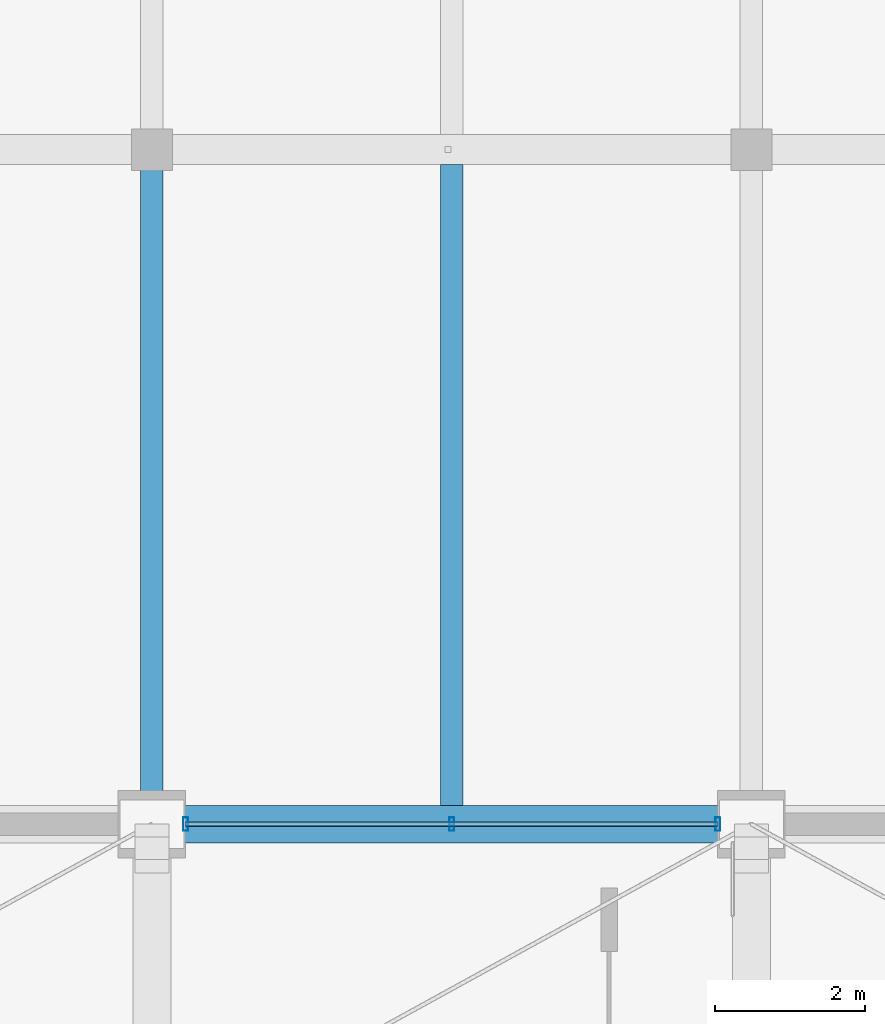
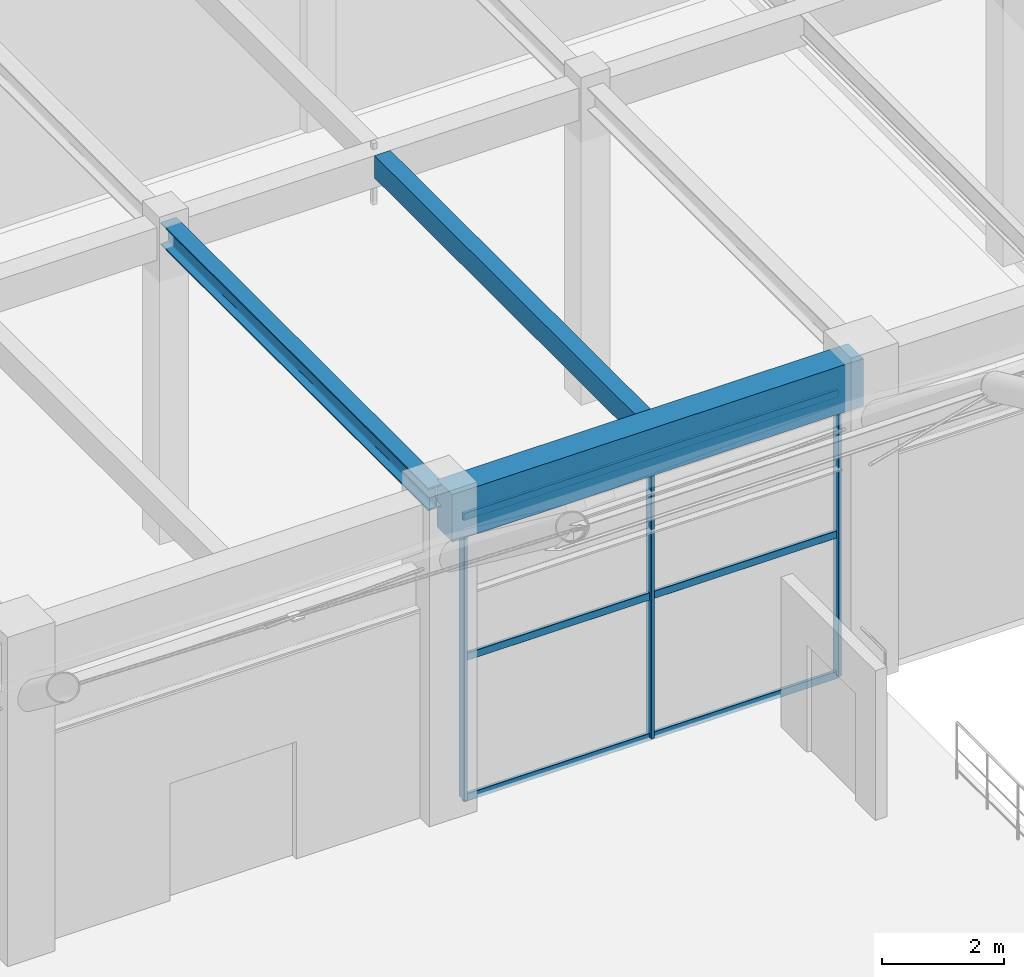
# One storey, part 86 of 163: 6 members, 3 beams, 1 element without a shape of its own.
"""IFC4 building model written with IfcOpenShell, lengths in metres."""

from ifc_helpers import new_model, si_unit, direction, frame, origin, origin_2d, place, context, subcontext, project, spatial, rectangle, hollow_rectangle, i_section, extrude, material, material_profile, profile_set, type_object, element, aggregate, save


model = new_model("IFC4")

# Units and contexts
model_context = context("Model", 3, precision=1e-05, world=origin(), true_north=direction((0.0, 1.0)))
body_context = subcontext(model_context, "Body", "Model", "MODEL_VIEW")
ifc_project = project(units=[si_unit("LENGTHUNIT", "METRE"), si_unit("AREAUNIT", "SQUARE_METRE"), si_unit("VOLUMEUNIT", "CUBIC_METRE"), si_unit("PLANEANGLEUNIT", "RADIAN"), si_unit("MASSUNIT", "GRAM", prefix="KILO")], contexts=[model_context])

# Site, building, storey
site_placement = place(None, origin())
site = spatial("IfcSite", under=ifc_project, at=site_placement, CompositionType="ELEMENT")
building_placement = place(site_placement, origin())
building = spatial("IfcBuilding", under=site, at=building_placement, Name="Varnabhumi Central Station", CompositionType="ELEMENT")
storey_placement = place(building_placement, frame((0.0, 0.0, 9.60009765625)))
storey = spatial("IfcBuildingStorey", under=building, at=storey_placement, Name="L02", CompositionType="ELEMENT", Elevation=9.60009765625)

# Beams
ifc_material_1 = material(Name="Concrete M40", Category="concrete")
ifc_material_profile_1 = material_profile(ifc_material_1, rectangle(XDim=0.300048828125, YDim=0.449951171875, at=origin_2d()), Name="Concrete M40", Category="concrete")
ifc_profile_set_1 = profile_set([ifc_material_profile_1], Name="Concrete M40")
beam_type_1 = type_object("IfcBeamType", Name="BM-RC-300x450", PredefinedType="JOIST", material=ifc_profile_set_1)
beam_1_placement = place(storey_placement, frame((108.0, 80.25, 6.125), z_axis=(0.0, 1.0, 0.0), x_axis=(-1.0, 0.0, 0.0)))
element("IfcBeam", 1, at=beam_1_placement, inside=storey, type_object=beam_type_1, Name="Secondary Joist L02-14/15:K-L", PredefinedType="JOIST", context=body_context, shape_type="SweptSolid", body=[
    extrude(rectangle(XDim=0.300048828125, YDim=0.449951171875, at=origin_2d()), origin(), (0.0, 0.0, 1.0), 8.550048828125),
])
ifc_material_profile_2 = material_profile(ifc_material_1, rectangle(XDim=0.5, YDim=0.949951171875, at=origin_2d()), Name="Concrete M40", Category="concrete")
ifc_profile_set_2 = profile_set([ifc_material_profile_2], Name="Concrete M40")
beam_type_2 = type_object("IfcBeamType", Name="BM-RC-950x500", PredefinedType="BEAM", material=ifc_profile_set_2)
beam_2_placement = place(storey_placement, frame((104.10009765625, 80.0, 5.875), z_axis=(1.0, 0.0, 0.0), x_axis=(0.0, 1.0, 0.0)))
element("IfcBeam", 2, at=beam_2_placement, inside=storey, type_object=beam_type_2, Name="Beam L02-K:14-15", PredefinedType="BEAM", context=body_context, shape_type="SweptSolid", body=[
    extrude(rectangle(XDim=0.5, YDim=0.949951171875, at=origin_2d()), origin(), (0.0, 0.0, 1.0), 7.7998046875),
])
ifc_material_2 = material(Name="Structural steel E350", Category="steel")
ifc_material_profile_3 = material_profile(ifc_material_2, i_section(OverallWidth=0.300048828125, OverallDepth=0.449951171875, WebThickness=0.013916015625, FlangeThickness=0.02587890625, FilletRadius=0.027099609375, at=origin_2d()), Name="Structural steel E350", Category="steel")
ifc_profile_set_3 = profile_set([ifc_material_profile_3], Name="Structural steel E350")
beam_type_3 = type_object("IfcBeamType", Name="BM-STL-WPB450", PredefinedType="BEAM", material=ifc_profile_set_3)
beam_3_placement = place(storey_placement, frame((104.0, 80.10009765625, 6.125), z_axis=(0.0, 1.0, 0.0), x_axis=(-1.0, 0.0, 0.0)))
element("IfcBeam", 3, at=beam_3_placement, inside=storey, type_object=beam_type_3, Name="Beam L02-14:K-L", PredefinedType="BEAM", context=body_context, shape_type="SweptSolid", body=[
    extrude(i_section(OverallWidth=0.300048828125, OverallDepth=0.449951171875, WebThickness=0.013916015625, FlangeThickness=0.02587890625, FilletRadius=0.027099609375, at=origin_2d()), origin(), (0.0, 0.0, 1.0), 8.7998046875),
])

# Curtain wall, members
ifc_material_3 = material(Name="Anodised aluminium 6063-T6", Category="aluminium")
curtain_wall_type = type_object("IfcCurtainWallType", Name="CW-SPINE-SCREEN-L2", PredefinedType="NOTDEFINED", material=ifc_material_3)
curtain_wall_placement = place(storey_placement, origin())
curtain_wall = element("IfcCurtainWall", 4, at=curtain_wall_placement, inside=storey, type_object=curtain_wall_type, Name="Curtain Wall CW-NS210", PredefinedType="NOTDEFINED")
ifc_material_profile_4 = material_profile(ifc_material_3, hollow_rectangle(XDim=0.06494140625, YDim=0.179931640625, WallThickness=0.00390625, InnerFilletRadius=0.001953125, OuterFilletRadius=0.006103515625, at=origin_2d()), Name="Anodised aluminium 6063-T6", Category="aluminium")
ifc_profile_set_4 = profile_set([ifc_material_profile_4], Name="Anodised aluminium 6063-T6")
member_type_1 = type_object("IfcMemberType", Name="CW-MUL-180", PredefinedType="MULLION", material=ifc_profile_set_4)
member_1_placement = place(storey_placement, frame((104.449951171875, 80.0, 0.0), z_axis=(0.0, 0.0, 1.0), x_axis=(1.0, 0.0, 0.0)))
member_1 = element("IfcMember", 5, at=member_1_placement, type_object=member_type_1, Name="Curtain Wall Mullion CW-NS210-M1", PredefinedType="MULLION", context=body_context, shape_type="SweptSolid", body=[
    extrude(hollow_rectangle(XDim=0.06494140625, YDim=0.179931640625, WallThickness=0.00390625, InnerFilletRadius=0.001953125, OuterFilletRadius=0.006103515625, at=origin_2d()), origin(), (0.0, 0.0, 1.0), 5.639892578125),
])
member_2_placement = place(storey_placement, frame((108.0, 80.0, 0.0), z_axis=(0.0, 0.0, 1.0), x_axis=(1.0, 0.0, 0.0)))
member_2 = element("IfcMember", 6, at=member_2_placement, type_object=member_type_1, Name="Curtain Wall Mullion CW-NS210-M2", PredefinedType="MULLION", context=body_context, shape_type="SweptSolid", body=[
    extrude(hollow_rectangle(XDim=0.06494140625, YDim=0.179931640625, WallThickness=0.00390625, InnerFilletRadius=0.001953125, OuterFilletRadius=0.006103515625, at=origin_2d()), origin(), (0.0, 0.0, 1.0), 5.639892578125),
])
member_3_placement = place(storey_placement, frame((111.550048828125, 80.0, 0.0), z_axis=(0.0, 0.0, 1.0), x_axis=(1.0, 0.0, 0.0)))
member_3 = element("IfcMember", 7, at=member_3_placement, type_object=member_type_1, Name="Curtain Wall Mullion CW-NS210-M3", PredefinedType="MULLION", context=body_context, shape_type="SweptSolid", body=[
    extrude(hollow_rectangle(XDim=0.06494140625, YDim=0.179931640625, WallThickness=0.00390625, InnerFilletRadius=0.001953125, OuterFilletRadius=0.006103515625, at=origin_2d()), origin(), (0.0, 0.0, 1.0), 5.639892578125),
])
ifc_material_profile_5 = material_profile(ifc_material_3, hollow_rectangle(XDim=0.06005859375, YDim=0.14990234375, WallThickness=0.00390625, InnerFilletRadius=0.001953125, OuterFilletRadius=0.006103515625, at=origin_2d()), Name="Anodised aluminium 6063-T6", Category="aluminium")
ifc_profile_set_5 = profile_set([ifc_material_profile_5], Name="Anodised aluminium 6063-T6")
member_type_2 = type_object("IfcMemberType", Name="CW-TR-150", PredefinedType="USERDEFINED", material=ifc_profile_set_5)
member_4_placement = place(storey_placement, frame((104.449951171875, 80.0, 0.0), z_axis=(1.0, 0.0, 0.0), x_axis=(0.0, 1.0, 0.0)))
member_4 = element("IfcMember", 8, at=member_4_placement, type_object=member_type_2, Name="Curtain Wall Transom CW-NS210-T1", ObjectType="TRANSOM", PredefinedType="USERDEFINED", context=body_context, shape_type="SweptSolid", body=[
    extrude(hollow_rectangle(XDim=0.06005859375, YDim=0.14990234375, WallThickness=0.00390625, InnerFilletRadius=0.001953125, OuterFilletRadius=0.006103515625, at=origin_2d()), origin(), (0.0, 0.0, 1.0), 7.10009765625),
])
member_5_placement = place(storey_placement, frame((104.449951171875, 80.0, 2.81982421875), z_axis=(1.0, 0.0, 0.0), x_axis=(0.0, 1.0, 0.0)))
member_5 = element("IfcMember", 9, at=member_5_placement, type_object=member_type_2, Name="Curtain Wall Transom CW-NS210-T2", ObjectType="TRANSOM", PredefinedType="USERDEFINED", context=body_context, shape_type="SweptSolid", body=[
    extrude(hollow_rectangle(XDim=0.06005859375, YDim=0.14990234375, WallThickness=0.00390625, InnerFilletRadius=0.001953125, OuterFilletRadius=0.006103515625, at=origin_2d()), origin(), (0.0, 0.0, 1.0), 7.10009765625),
])
member_6_placement = place(storey_placement, frame((104.449951171875, 80.0, 5.639892578125), z_axis=(1.0, 0.0, 0.0), x_axis=(0.0, 1.0, 0.0)))
member_6 = element("IfcMember", 10, at=member_6_placement, type_object=member_type_2, Name="Curtain Wall Transom CW-NS210-T3", ObjectType="TRANSOM", PredefinedType="USERDEFINED", context=body_context, shape_type="SweptSolid", body=[
    extrude(hollow_rectangle(XDim=0.06005859375, YDim=0.14990234375, WallThickness=0.00390625, InnerFilletRadius=0.001953125, OuterFilletRadius=0.006103515625, at=origin_2d()), origin(), (0.0, 0.0, 1.0), 7.10009765625),
])
aggregate(curtain_wall, [member_1, member_2, member_3, member_4, member_5, member_6])

save(model, "model.ifc")
